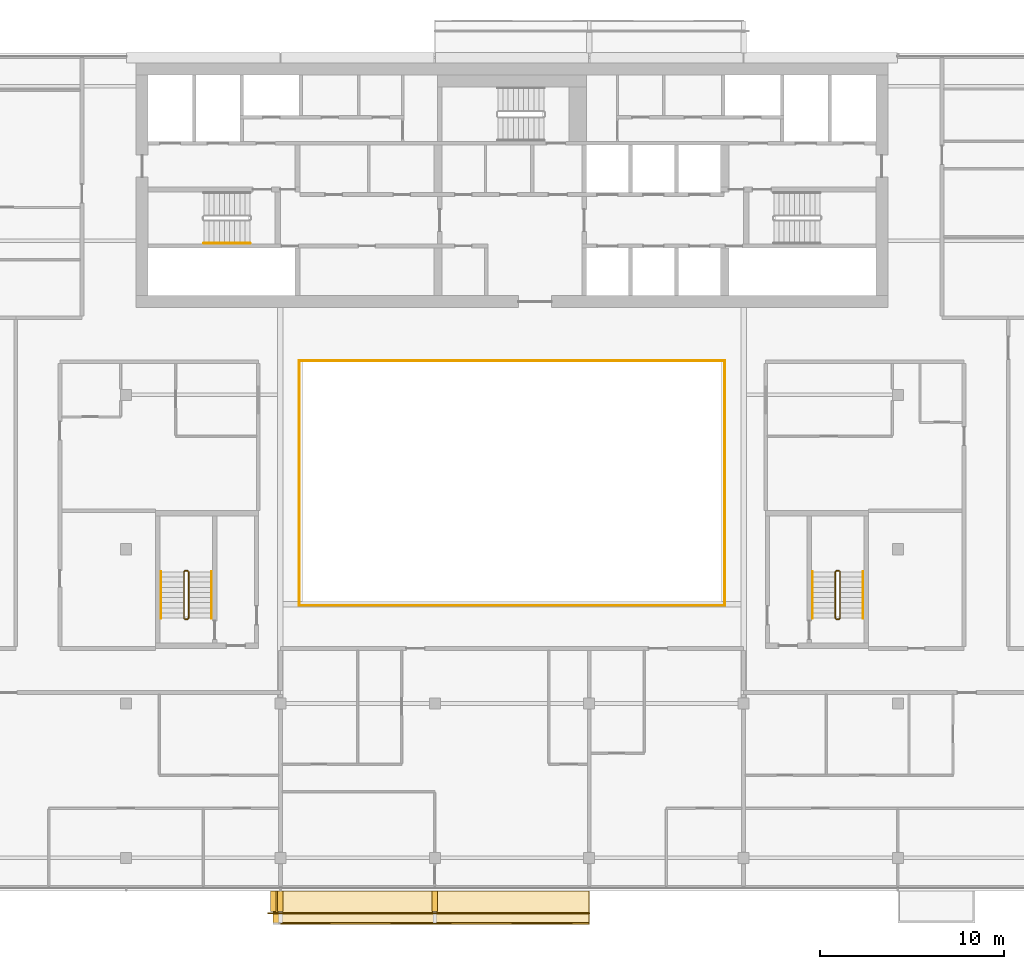
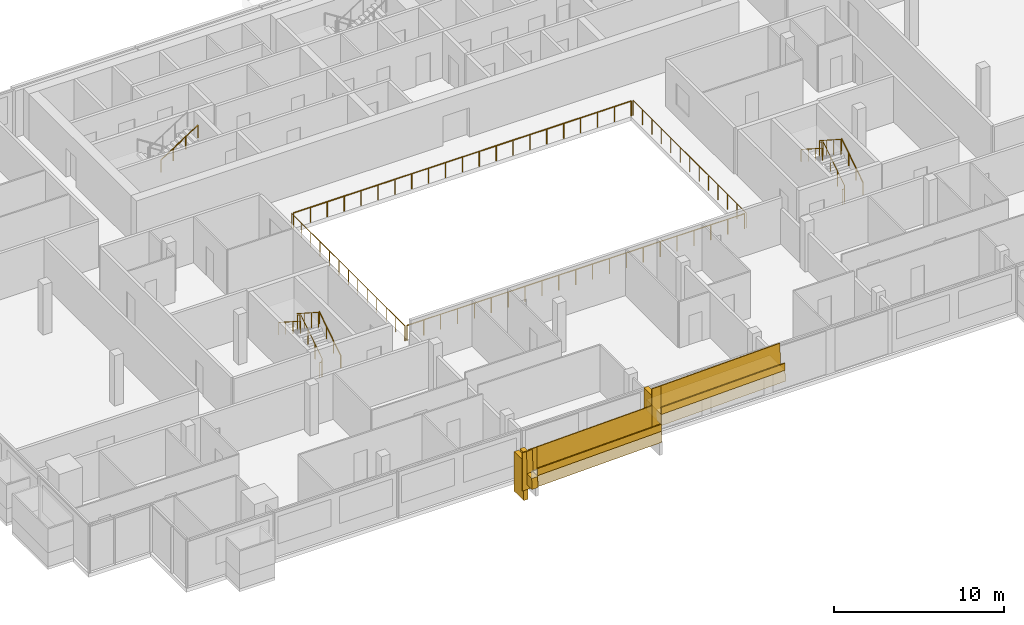
# One storey, part 26 of 27: 17 railings, 8 coverings.
"""IFC4 building model written with IfcOpenShell, lengths in metres."""

from ifc_helpers import new_model, si_unit, direction, frame, origin, origin_2d, place, context, subcontext, project, spatial, polyline, rectangle, circle, outline, extrude, material, layer, layer_set, type_object, element, save


model = new_model("IFC4")

# Units and contexts
model_context = context("Model", 3, precision=1e-05, world=origin(), true_north=direction((0.0, 1.0)))
body_context = subcontext(model_context, "Body", "Model", "MODEL_VIEW")
ifc_project = project(units=[si_unit("LENGTHUNIT", "METRE"), si_unit("AREAUNIT", "SQUARE_METRE"), si_unit("VOLUMEUNIT", "CUBIC_METRE"), si_unit("PLANEANGLEUNIT", "RADIAN"), si_unit("MASSUNIT", "GRAM", prefix="KILO")], contexts=[model_context])

# Site, building, storey
site_placement = place(None, origin())
site = spatial("IfcSite", under=ifc_project, at=site_placement, CompositionType="ELEMENT")
building_placement = place(site_placement, origin())
building = spatial("IfcBuilding", under=site, at=building_placement, Name="Saffron Gate Tower", CompositionType="ELEMENT")
storey_placement = place(building_placement, frame((0.0, 0.0, 209.10009765625)))
storey = spatial("IfcBuildingStorey", under=building, at=storey_placement, Name="L50", CompositionType="ELEMENT", Elevation=209.10009765625)

# Railings
ifc_material_1 = material(Name="Stainless steel and laminated glass", Category="steel")
railing_type_1 = type_object("IfcRailingType", Name="AG1 Atrium edge guard 1100", PredefinedType="GUARDRAIL", material=ifc_material_1)
railing_1_placement = place(storey_placement, frame((76.02001953125, 45.5400390625, 0.0)))
element("IfcRailing", 1, at=railing_1_placement, inside=storey, type_object=railing_type_1, Name="Guard D1-1", PredefinedType="GUARDRAIL", context=body_context, shape_type="SweptSolid", body=[
    extrude(circle(Radius=0.02392578125, at=origin_2d()), frame((0.0, 0.0, 1.076171875), z_axis=(0.0, 1.0, 0.0), x_axis=(-1.0, 0.0, 0.0)), (0.0, 0.0, 1.0), 13.320068359375),
    extrude(circle(Radius=0.02099609375, at=origin_2d()), origin(), (0.0, 0.0, 1.0), 1.052001953125),
    extrude(circle(Radius=0.02099609375, at=origin_2d()), frame((0.0, 1.110107421875, 0.0)), (0.0, 0.0, 1.0), 1.052001953125),
    extrude(circle(Radius=0.02099609375, at=origin_2d()), frame((0.0, 2.219970703125, 0.0)), (0.0, 0.0, 1.0), 1.052001953125),
    extrude(circle(Radius=0.02099609375, at=origin_2d()), frame((0.0, 3.330078125, 0.0)), (0.0, 0.0, 1.0), 1.052001953125),
    extrude(circle(Radius=0.02099609375, at=origin_2d()), frame((0.0, 4.43994140625, 0.0)), (0.0, 0.0, 1.0), 1.052001953125),
    extrude(circle(Radius=0.02099609375, at=origin_2d()), frame((0.0, 5.550048828125, 0.0)), (0.0, 0.0, 1.0), 1.052001953125),
    extrude(circle(Radius=0.02099609375, at=origin_2d()), frame((0.0, 6.66015625, 0.0)), (0.0, 0.0, 1.0), 1.052001953125),
    extrude(circle(Radius=0.02099609375, at=origin_2d()), frame((0.0, 7.77001953125, 0.0)), (0.0, 0.0, 1.0), 1.052001953125),
    extrude(circle(Radius=0.02099609375, at=origin_2d()), frame((0.0, 8.880126953125, 0.0)), (0.0, 0.0, 1.0), 1.052001953125),
    extrude(circle(Radius=0.02099609375, at=origin_2d()), frame((0.0, 9.989990234375, 0.0)), (0.0, 0.0, 1.0), 1.052001953125),
    extrude(circle(Radius=0.02099609375, at=origin_2d()), frame((0.0, 11.10009765625, 0.0)), (0.0, 0.0, 1.0), 1.052001953125),
    extrude(circle(Radius=0.02099609375, at=origin_2d()), frame((0.0, 12.2099609375, 0.0)), (0.0, 0.0, 1.0), 1.052001953125),
    extrude(circle(Radius=0.02099609375, at=origin_2d()), frame((0.0, 13.320068359375, 0.0)), (0.0, 0.0, 1.0), 1.052001953125),
])
railing_2_placement = place(storey_placement, frame((76.139892578125, 58.860107421875, 0.0)))
element("IfcRailing", 2, at=railing_2_placement, inside=storey, type_object=railing_type_1, Name="Guard D1-2", PredefinedType="GUARDRAIL", context=body_context, shape_type="SweptSolid", body=[
    extrude(circle(Radius=0.02392578125, at=origin_2d()), frame((0.0, 0.0, 1.076171875), z_axis=(1.0, 0.0, 0.0), x_axis=(0.0, 1.0, 0.0)), (0.0, 0.0, 1.0), 22.920166015625),
    extrude(circle(Radius=0.02099609375, at=origin_2d()), origin(), (0.0, 0.0, 1.0), 1.052001953125),
    extrude(circle(Radius=0.02099609375, at=origin_2d()), frame((1.14599609375, 0.0, 0.0)), (0.0, 0.0, 1.0), 1.052001953125),
    extrude(circle(Radius=0.02099609375, at=origin_2d()), frame((2.2919921875, 0.0, 0.0)), (0.0, 0.0, 1.0), 1.052001953125),
    extrude(circle(Radius=0.02099609375, at=origin_2d()), frame((3.43798828125, 0.0, 0.0)), (0.0, 0.0, 1.0), 1.052001953125),
    extrude(circle(Radius=0.02099609375, at=origin_2d()), frame((4.583984375, 0.0, 0.0)), (0.0, 0.0, 1.0), 1.052001953125),
    extrude(circle(Radius=0.02099609375, at=origin_2d()), frame((5.72998046875, 0.0, 0.0)), (0.0, 0.0, 1.0), 1.052001953125),
    extrude(circle(Radius=0.02099609375, at=origin_2d()), frame((6.8759765625, 0.0, 0.0)), (0.0, 0.0, 1.0), 1.052001953125),
    extrude(circle(Radius=0.02099609375, at=origin_2d()), frame((8.02197265625, 0.0, 0.0)), (0.0, 0.0, 1.0), 1.052001953125),
    extrude(circle(Radius=0.02099609375, at=origin_2d()), frame((9.16796875, 0.0, 0.0)), (0.0, 0.0, 1.0), 1.052001953125),
    extrude(circle(Radius=0.02099609375, at=origin_2d()), frame((10.31396484375, 0.0, 0.0)), (0.0, 0.0, 1.0), 1.052001953125),
    extrude(circle(Radius=0.02099609375, at=origin_2d()), frame((11.4599609375, 0.0, 0.0)), (0.0, 0.0, 1.0), 1.052001953125),
    extrude(circle(Radius=0.02099609375, at=origin_2d()), frame((12.606201171875, 0.0, 0.0)), (0.0, 0.0, 1.0), 1.052001953125),
    extrude(circle(Radius=0.02099609375, at=origin_2d()), frame((13.752197265625, 0.0, 0.0)), (0.0, 0.0, 1.0), 1.052001953125),
    extrude(circle(Radius=0.02099609375, at=origin_2d()), frame((14.898193359375, 0.0, 0.0)), (0.0, 0.0, 1.0), 1.052001953125),
    extrude(circle(Radius=0.02099609375, at=origin_2d()), frame((16.044189453125, 0.0, 0.0)), (0.0, 0.0, 1.0), 1.052001953125),
    extrude(circle(Radius=0.02099609375, at=origin_2d()), frame((17.190185546875, 0.0, 0.0)), (0.0, 0.0, 1.0), 1.052001953125),
    extrude(circle(Radius=0.02099609375, at=origin_2d()), frame((18.336181640625, 0.0, 0.0)), (0.0, 0.0, 1.0), 1.052001953125),
    extrude(circle(Radius=0.02099609375, at=origin_2d()), frame((19.482177734375, 0.0, 0.0)), (0.0, 0.0, 1.0), 1.052001953125),
    extrude(circle(Radius=0.02099609375, at=origin_2d()), frame((20.628173828125, 0.0, 0.0)), (0.0, 0.0, 1.0), 1.052001953125),
    extrude(circle(Radius=0.02099609375, at=origin_2d()), frame((21.774169921875, 0.0, 0.0)), (0.0, 0.0, 1.0), 1.052001953125),
    extrude(circle(Radius=0.02099609375, at=origin_2d()), frame((22.920166015625, 0.0, 0.0)), (0.0, 0.0, 1.0), 1.052001953125),
])
railing_3_placement = place(storey_placement, frame((99.179931640625, 58.860107421875, 0.0)))
element("IfcRailing", 3, at=railing_3_placement, inside=storey, type_object=railing_type_1, Name="Guard D1-3", PredefinedType="GUARDRAIL", context=body_context, shape_type="SweptSolid", body=[
    extrude(circle(Radius=0.02392578125, at=origin_2d()), frame((0.0, 0.0, 1.076171875), z_axis=(0.0, -1.0, 0.0), x_axis=(1.0, 0.0, 0.0)), (0.0, 0.0, 1.0), 13.320068359375),
    extrude(circle(Radius=0.02099609375, at=origin_2d()), origin(), (0.0, 0.0, 1.0), 1.052001953125),
    extrude(circle(Radius=0.02099609375, at=origin_2d()), frame((0.0, -1.110107421875, 0.0)), (0.0, 0.0, 1.0), 1.052001953125),
    extrude(circle(Radius=0.02099609375, at=origin_2d()), frame((0.0, -2.219970703125, 0.0)), (0.0, 0.0, 1.0), 1.052001953125),
    extrude(circle(Radius=0.02099609375, at=origin_2d()), frame((0.0, -3.330078125, 0.0)), (0.0, 0.0, 1.0), 1.052001953125),
    extrude(circle(Radius=0.02099609375, at=origin_2d()), frame((0.0, -4.43994140625, 0.0)), (0.0, 0.0, 1.0), 1.052001953125),
    extrude(circle(Radius=0.02099609375, at=origin_2d()), frame((0.0, -5.550048828125, 0.0)), (0.0, 0.0, 1.0), 1.052001953125),
    extrude(circle(Radius=0.02099609375, at=origin_2d()), frame((0.0, -6.66015625, 0.0)), (0.0, 0.0, 1.0), 1.052001953125),
    extrude(circle(Radius=0.02099609375, at=origin_2d()), frame((0.0, -7.77001953125, 0.0)), (0.0, 0.0, 1.0), 1.052001953125),
    extrude(circle(Radius=0.02099609375, at=origin_2d()), frame((0.0, -8.880126953125, 0.0)), (0.0, 0.0, 1.0), 1.052001953125),
    extrude(circle(Radius=0.02099609375, at=origin_2d()), frame((0.0, -9.989990234375, 0.0)), (0.0, 0.0, 1.0), 1.052001953125),
    extrude(circle(Radius=0.02099609375, at=origin_2d()), frame((0.0, -11.10009765625, 0.0)), (0.0, 0.0, 1.0), 1.052001953125),
    extrude(circle(Radius=0.02099609375, at=origin_2d()), frame((0.0, -12.2099609375, 0.0)), (0.0, 0.0, 1.0), 1.052001953125),
    extrude(circle(Radius=0.02099609375, at=origin_2d()), frame((0.0, -13.320068359375, 0.0)), (0.0, 0.0, 1.0), 1.052001953125),
])
railing_4_placement = place(storey_placement, frame((99.06005859375, 45.5400390625, 0.0)))
element("IfcRailing", 4, at=railing_4_placement, inside=storey, type_object=railing_type_1, Name="Guard D1-4", PredefinedType="GUARDRAIL", context=body_context, shape_type="SweptSolid", body=[
    extrude(circle(Radius=0.02392578125, at=origin_2d()), frame((0.0, 0.0, 1.076171875), z_axis=(-1.0, 0.0, 0.0), x_axis=(0.0, -1.0, 0.0)), (0.0, 0.0, 1.0), 22.920166015625),
    extrude(circle(Radius=0.02099609375, at=origin_2d()), origin(), (0.0, 0.0, 1.0), 1.052001953125),
    extrude(circle(Radius=0.02099609375, at=origin_2d()), frame((-1.14599609375, 0.0, 0.0)), (0.0, 0.0, 1.0), 1.052001953125),
    extrude(circle(Radius=0.02099609375, at=origin_2d()), frame((-2.2919921875, 0.0, 0.0)), (0.0, 0.0, 1.0), 1.052001953125),
    extrude(circle(Radius=0.02099609375, at=origin_2d()), frame((-3.43798828125, 0.0, 0.0)), (0.0, 0.0, 1.0), 1.052001953125),
    extrude(circle(Radius=0.02099609375, at=origin_2d()), frame((-4.583984375, 0.0, 0.0)), (0.0, 0.0, 1.0), 1.052001953125),
    extrude(circle(Radius=0.02099609375, at=origin_2d()), frame((-5.72998046875, 0.0, 0.0)), (0.0, 0.0, 1.0), 1.052001953125),
    extrude(circle(Radius=0.02099609375, at=origin_2d()), frame((-6.8759765625, 0.0, 0.0)), (0.0, 0.0, 1.0), 1.052001953125),
    extrude(circle(Radius=0.02099609375, at=origin_2d()), frame((-8.02197265625, 0.0, 0.0)), (0.0, 0.0, 1.0), 1.052001953125),
    extrude(circle(Radius=0.02099609375, at=origin_2d()), frame((-9.16796875, 0.0, 0.0)), (0.0, 0.0, 1.0), 1.052001953125),
    extrude(circle(Radius=0.02099609375, at=origin_2d()), frame((-10.31396484375, 0.0, 0.0)), (0.0, 0.0, 1.0), 1.052001953125),
    extrude(circle(Radius=0.02099609375, at=origin_2d()), frame((-11.4599609375, 0.0, 0.0)), (0.0, 0.0, 1.0), 1.052001953125),
    extrude(circle(Radius=0.02099609375, at=origin_2d()), frame((-12.606201171875, 0.0, 0.0)), (0.0, 0.0, 1.0), 1.052001953125),
    extrude(circle(Radius=0.02099609375, at=origin_2d()), frame((-13.752197265625, 0.0, 0.0)), (0.0, 0.0, 1.0), 1.052001953125),
    extrude(circle(Radius=0.02099609375, at=origin_2d()), frame((-14.898193359375, 0.0, 0.0)), (0.0, 0.0, 1.0), 1.052001953125),
    extrude(circle(Radius=0.02099609375, at=origin_2d()), frame((-16.044189453125, 0.0, 0.0)), (0.0, 0.0, 1.0), 1.052001953125),
    extrude(circle(Radius=0.02099609375, at=origin_2d()), frame((-17.190185546875, 0.0, 0.0)), (0.0, 0.0, 1.0), 1.052001953125),
    extrude(circle(Radius=0.02099609375, at=origin_2d()), frame((-18.336181640625, 0.0, 0.0)), (0.0, 0.0, 1.0), 1.052001953125),
    extrude(circle(Radius=0.02099609375, at=origin_2d()), frame((-19.482177734375, 0.0, 0.0)), (0.0, 0.0, 1.0), 1.052001953125),
    extrude(circle(Radius=0.02099609375, at=origin_2d()), frame((-20.628173828125, 0.0, 0.0)), (0.0, 0.0, 1.0), 1.052001953125),
    extrude(circle(Radius=0.02099609375, at=origin_2d()), frame((-21.774169921875, 0.0, 0.0)), (0.0, 0.0, 1.0), 1.052001953125),
    extrude(circle(Radius=0.02099609375, at=origin_2d()), frame((-22.920166015625, 0.0, 0.0)), (0.0, 0.0, 1.0), 1.052001953125),
])
railing_type_2 = type_object("IfcRailingType", Name="CR1 Stair guard 1100", PredefinedType="GUARDRAIL", material=ifc_material_1)
railing_5_placement = place(storey_placement, frame((69.800048828125, 44.800048828125, 0.0)))
element("IfcRailing", 5, at=railing_5_placement, inside=storey, type_object=railing_type_2, Name="L50 ST-D stair guard 1", PredefinedType="GUARDRAIL", context=body_context, shape_type="SweptSolid", body=[
    extrude(circle(Radius=0.02392578125, at=origin_2d()), frame((0.0, 0.0, 1.076171875), z_axis=(1.0, 0.0, 0.0), x_axis=(0.0, 1.0, 0.0)), (0.0, 0.0, 1.0), 0.14990234375),
    extrude(circle(Radius=0.02392578125, at=origin_2d()), frame((0.14990234375, 0.0, 1.076171875), z_axis=(0.258847668887, 0.258847668887, 0.930588936439), x_axis=(-0.707106781187, 0.707106781187, 0.0)), (0.0, 0.0, 1.0), 0.193359375),
    extrude(circle(Radius=0.02392578125, at=origin_2d()), frame((0.199951171875, 0.050048828125, 1.255859375), z_axis=(0.0, 0.841199657755, 0.540724639528), x_axis=(-1.0, 0.0, 0.0)), (0.0, 0.0, 1.0), 2.995849609375),
    extrude(circle(Radius=0.02392578125, at=origin_2d()), frame((0.199951171875, 2.570068359375, 2.8759765625), z_axis=(-0.708833529934, 0.705375805398, 0.0), x_axis=(-0.705375805398, -0.708833529934, 0.0)), (0.0, 0.0, 1.0), 0.070556640625),
    extrude(circle(Radius=0.02392578125, at=origin_2d()), frame((0.14990234375, 2.619873046875, 2.8759765625), z_axis=(-1.0, 0.0, 0.0), x_axis=(0.0, -1.0, 0.0)), (0.0, 0.0, 1.0), 0.14990234375),
    extrude(circle(Radius=0.02392578125, at=origin_2d()), frame((0.0, 2.619873046875, 2.8759765625), z_axis=(-0.258627984543, -0.257366384619, 0.931060744355), x_axis=(0.705375805398, -0.708833529934, 0.0)), (0.0, 0.0, 1.0), 0.193603515625),
    extrude(circle(Radius=0.02392578125, at=origin_2d()), frame((-0.050048828125, 2.570068359375, 3.05615234375), z_axis=(0.0, -0.841199657755, 0.540724639528), x_axis=(1.0, 0.0, 0.0)), (0.0, 0.0, 1.0), 2.995849609375),
    extrude(circle(Radius=0.02099609375, at=origin_2d()), origin(), (0.0, 0.0, 1.0), 1.052001953125),
    extrude(circle(Radius=0.02099609375, at=origin_2d()), frame((0.14990234375, 0.0, 0.0)), (0.0, 0.0, 1.0), 1.052001953125),
    extrude(circle(Radius=0.02099609375, at=origin_2d()), frame((0.199951171875, 0.050048828125, 0.179931640625)), (0.0, 0.0, 1.0), 1.052001953125),
    extrude(circle(Radius=0.02099609375, at=origin_2d()), frame((0.199951171875, 0.89013671875, 0.719970703125)), (0.0, 0.0, 1.0), 1.052001953125),
    extrude(circle(Radius=0.02099609375, at=origin_2d()), frame((0.199951171875, 1.72998046875, 1.259765625)), (0.0, 0.0, 1.0), 1.052001953125),
    extrude(circle(Radius=0.02099609375, at=origin_2d()), frame((0.199951171875, 2.570068359375, 1.7998046875)), (0.0, 0.0, 1.0), 1.052001953125),
    extrude(circle(Radius=0.02099609375, at=origin_2d()), frame((0.14990234375, 2.619873046875, 1.7998046875)), (0.0, 0.0, 1.0), 1.052001953125),
    extrude(circle(Radius=0.02099609375, at=origin_2d()), frame((0.0, 2.619873046875, 1.7998046875)), (0.0, 0.0, 1.0), 1.052001953125),
    extrude(circle(Radius=0.02099609375, at=origin_2d()), frame((-0.050048828125, 2.570068359375, 1.97998046875)), (0.0, 0.0, 1.0), 1.052001953125),
    extrude(circle(Radius=0.02099609375, at=origin_2d()), frame((-0.050048828125, 1.72998046875, 2.52001953125)), (0.0, 0.0, 1.0), 1.052001953125),
    extrude(circle(Radius=0.02099609375, at=origin_2d()), frame((-0.050048828125, 0.89013671875, 3.059814453125)), (0.0, 0.0, 1.0), 1.052001953125),
    extrude(circle(Radius=0.02099609375, at=origin_2d()), frame((-0.050048828125, 0.050048828125, 3.599853515625)), (0.0, 0.0, 1.0), 1.052001953125),
])
railing_6_placement = place(storey_placement, frame((105.25, 44.800048828125, 0.0)))
element("IfcRailing", 6, at=railing_6_placement, inside=storey, type_object=railing_type_2, Name="L50 ST-E stair guard 1", PredefinedType="GUARDRAIL", context=body_context, shape_type="SweptSolid", body=[
    extrude(circle(Radius=0.02392578125, at=origin_2d()), frame((0.0, 0.0, 1.076171875), z_axis=(1.0, 0.0, 0.0), x_axis=(0.0, 1.0, 0.0)), (0.0, 0.0, 1.0), 0.14990234375),
    extrude(circle(Radius=0.02392578125, at=origin_2d()), frame((0.14990234375, 0.0, 1.076171875), z_axis=(0.258847668887, 0.258847668887, 0.930588936439), x_axis=(-0.707106781187, 0.707106781187, 0.0)), (0.0, 0.0, 1.0), 0.193359375),
    extrude(circle(Radius=0.02392578125, at=origin_2d()), frame((0.199951171875, 0.050048828125, 1.255859375), z_axis=(0.0, 0.841199657755, 0.540724639528), x_axis=(-1.0, 0.0, 0.0)), (0.0, 0.0, 1.0), 2.995849609375),
    extrude(circle(Radius=0.02392578125, at=origin_2d()), frame((0.199951171875, 2.570068359375, 2.8759765625), z_axis=(-0.708833529934, 0.705375805398, 0.0), x_axis=(-0.705375805398, -0.708833529934, 0.0)), (0.0, 0.0, 1.0), 0.070556640625),
    extrude(circle(Radius=0.02392578125, at=origin_2d()), frame((0.14990234375, 2.619873046875, 2.8759765625), z_axis=(-1.0, 0.0, 0.0), x_axis=(0.0, -1.0, 0.0)), (0.0, 0.0, 1.0), 0.14990234375),
    extrude(circle(Radius=0.02392578125, at=origin_2d()), frame((0.0, 2.619873046875, 2.8759765625), z_axis=(-0.258627984543, -0.257366384619, 0.931060744355), x_axis=(0.705375805398, -0.708833529934, 0.0)), (0.0, 0.0, 1.0), 0.193603515625),
    extrude(circle(Radius=0.02392578125, at=origin_2d()), frame((-0.050048828125, 2.570068359375, 3.05615234375), z_axis=(0.0, -0.841199657755, 0.540724639528), x_axis=(1.0, 0.0, 0.0)), (0.0, 0.0, 1.0), 2.995849609375),
    extrude(circle(Radius=0.02099609375, at=origin_2d()), origin(), (0.0, 0.0, 1.0), 1.052001953125),
    extrude(circle(Radius=0.02099609375, at=origin_2d()), frame((0.14990234375, 0.0, 0.0)), (0.0, 0.0, 1.0), 1.052001953125),
    extrude(circle(Radius=0.02099609375, at=origin_2d()), frame((0.199951171875, 0.050048828125, 0.179931640625)), (0.0, 0.0, 1.0), 1.052001953125),
    extrude(circle(Radius=0.02099609375, at=origin_2d()), frame((0.199951171875, 0.89013671875, 0.719970703125)), (0.0, 0.0, 1.0), 1.052001953125),
    extrude(circle(Radius=0.02099609375, at=origin_2d()), frame((0.199951171875, 1.72998046875, 1.259765625)), (0.0, 0.0, 1.0), 1.052001953125),
    extrude(circle(Radius=0.02099609375, at=origin_2d()), frame((0.199951171875, 2.570068359375, 1.7998046875)), (0.0, 0.0, 1.0), 1.052001953125),
    extrude(circle(Radius=0.02099609375, at=origin_2d()), frame((0.14990234375, 2.619873046875, 1.7998046875)), (0.0, 0.0, 1.0), 1.052001953125),
    extrude(circle(Radius=0.02099609375, at=origin_2d()), frame((0.0, 2.619873046875, 1.7998046875)), (0.0, 0.0, 1.0), 1.052001953125),
    extrude(circle(Radius=0.02099609375, at=origin_2d()), frame((-0.050048828125, 2.570068359375, 1.97998046875)), (0.0, 0.0, 1.0), 1.052001953125),
    extrude(circle(Radius=0.02099609375, at=origin_2d()), frame((-0.050048828125, 1.72998046875, 2.52001953125)), (0.0, 0.0, 1.0), 1.052001953125),
    extrude(circle(Radius=0.02099609375, at=origin_2d()), frame((-0.050048828125, 0.89013671875, 3.059814453125)), (0.0, 0.0, 1.0), 1.052001953125),
    extrude(circle(Radius=0.02099609375, at=origin_2d()), frame((-0.050048828125, 0.050048828125, 3.599853515625)), (0.0, 0.0, 1.0), 1.052001953125),
])
ifc_material_2 = material(Name="Stainless steel", Category="steel")
railing_type_3 = type_object("IfcRailingType", Name="CR2 Stair handrail 900", PredefinedType="HANDRAIL", material=ifc_material_2)
railing_7_placement = place(storey_placement, frame((70.830078125, 65.25, 1.97998046875)))
element("IfcRailing", 7, at=railing_7_placement, inside=storey, type_object=railing_type_3, Name="L50 ST-A stair handrail 2", PredefinedType="HANDRAIL", context=body_context, shape_type="SweptSolid", body=[
    extrude(circle(Radius=0.02392578125, at=origin_2d()), frame((0.0, 0.0, 0.8759765625), z_axis=(0.841199657755, 0.0, 0.540724639528), x_axis=(0.0, 1.0, 0.0)), (0.0, 0.0, 1.0), 2.995849609375),
    extrude(circle(Radius=0.02099609375, at=origin_2d()), origin(), (0.0, 0.0, 1.0), 0.851806640625),
    extrude(circle(Radius=0.02099609375, at=origin_2d()), frame((0.840087890625, 0.0, 0.5400390625)), (0.0, 0.0, 1.0), 0.851806640625),
    extrude(circle(Radius=0.02099609375, at=origin_2d()), frame((1.679931640625, 0.0, 1.079833984375)), (0.0, 0.0, 1.0), 0.851806640625),
    extrude(circle(Radius=0.02099609375, at=origin_2d()), frame((2.52001953125, 0.0, 1.619873046875)), (0.0, 0.0, 1.0), 0.851806640625),
])
railing_8_placement = place(storey_placement, frame((71.25, 44.85009765625, 0.179931640625)))
element("IfcRailing", 8, at=railing_8_placement, inside=storey, type_object=railing_type_3, Name="L50 ST-D stair handrail 1", PredefinedType="HANDRAIL", context=body_context, shape_type="SweptSolid", body=[
    extrude(circle(Radius=0.02392578125, at=origin_2d()), frame((0.0, 0.0, 0.8759765625), z_axis=(0.0, 0.841199657755, 0.540724639528), x_axis=(-1.0, 0.0, 0.0)), (0.0, 0.0, 1.0), 2.995849609375),
    extrude(circle(Radius=0.02099609375, at=origin_2d()), origin(), (0.0, 0.0, 1.0), 0.851806640625),
    extrude(circle(Radius=0.02099609375, at=origin_2d()), frame((0.0, 0.840087890625, 0.5400390625)), (0.0, 0.0, 1.0), 0.851806640625),
    extrude(circle(Radius=0.02099609375, at=origin_2d()), frame((0.0, 1.679931640625, 1.079833984375)), (0.0, 0.0, 1.0), 0.851806640625),
    extrude(circle(Radius=0.02099609375, at=origin_2d()), frame((0.0, 2.52001953125, 1.619873046875)), (0.0, 0.0, 1.0), 0.851806640625),
])
railing_9_placement = place(storey_placement, frame((68.5, 47.3701171875, 1.97998046875)))
element("IfcRailing", 9, at=railing_9_placement, inside=storey, type_object=railing_type_3, Name="L50 ST-D stair handrail 2", PredefinedType="HANDRAIL", context=body_context, shape_type="SweptSolid", body=[
    extrude(circle(Radius=0.02392578125, at=origin_2d()), frame((0.0, 0.0, 0.8759765625), z_axis=(0.0, -0.841199657755, 0.540724639528), x_axis=(1.0, 0.0, 0.0)), (0.0, 0.0, 1.0), 2.995849609375),
    extrude(circle(Radius=0.02099609375, at=origin_2d()), origin(), (0.0, 0.0, 1.0), 0.851806640625),
    extrude(circle(Radius=0.02099609375, at=origin_2d()), frame((0.0, -0.840087890625, 0.5400390625)), (0.0, 0.0, 1.0), 0.851806640625),
    extrude(circle(Radius=0.02099609375, at=origin_2d()), frame((0.0, -1.679931640625, 1.079833984375)), (0.0, 0.0, 1.0), 0.851806640625),
    extrude(circle(Radius=0.02099609375, at=origin_2d()), frame((0.0, -2.52001953125, 1.619873046875)), (0.0, 0.0, 1.0), 0.851806640625),
])
railing_10_placement = place(storey_placement, frame((106.699951171875, 44.85009765625, 0.179931640625)))
element("IfcRailing", 10, at=railing_10_placement, inside=storey, type_object=railing_type_3, Name="L50 ST-E stair handrail 1", PredefinedType="HANDRAIL", context=body_context, shape_type="SweptSolid", body=[
    extrude(circle(Radius=0.02392578125, at=origin_2d()), frame((0.0, 0.0, 0.8759765625), z_axis=(0.0, 0.841199657755, 0.540724639528), x_axis=(-1.0, 0.0, 0.0)), (0.0, 0.0, 1.0), 2.995849609375),
    extrude(circle(Radius=0.02099609375, at=origin_2d()), origin(), (0.0, 0.0, 1.0), 0.851806640625),
    extrude(circle(Radius=0.02099609375, at=origin_2d()), frame((0.0, 0.840087890625, 0.5400390625)), (0.0, 0.0, 1.0), 0.851806640625),
    extrude(circle(Radius=0.02099609375, at=origin_2d()), frame((0.0, 1.679931640625, 1.079833984375)), (0.0, 0.0, 1.0), 0.851806640625),
    extrude(circle(Radius=0.02099609375, at=origin_2d()), frame((0.0, 2.52001953125, 1.619873046875)), (0.0, 0.0, 1.0), 0.851806640625),
])
railing_11_placement = place(storey_placement, frame((103.949951171875, 47.3701171875, 1.97998046875)))
element("IfcRailing", 11, at=railing_11_placement, inside=storey, type_object=railing_type_3, Name="L50 ST-E stair handrail 2", PredefinedType="HANDRAIL", context=body_context, shape_type="SweptSolid", body=[
    extrude(circle(Radius=0.02392578125, at=origin_2d()), frame((0.0, 0.0, 0.8759765625), z_axis=(0.0, -0.841199657755, 0.540724639528), x_axis=(1.0, 0.0, 0.0)), (0.0, 0.0, 1.0), 2.995849609375),
    extrude(circle(Radius=0.02099609375, at=origin_2d()), origin(), (0.0, 0.0, 1.0), 0.851806640625),
    extrude(circle(Radius=0.02099609375, at=origin_2d()), frame((0.0, -0.840087890625, 0.5400390625)), (0.0, 0.0, 1.0), 0.851806640625),
    extrude(circle(Radius=0.02099609375, at=origin_2d()), frame((0.0, -1.679931640625, 1.079833984375)), (0.0, 0.0, 1.0), 0.851806640625),
    extrude(circle(Radius=0.02099609375, at=origin_2d()), frame((0.0, -2.52001953125, 1.619873046875)), (0.0, 0.0, 1.0), 0.851806640625),
])

# Coverings
ifc_material_3 = material(Name="Timber, thermally modified ash", Category="wood")
ifc_layer_1 = layer(ifc_material_3, 0.800048828125)
ifc_layer_set_1 = layer_set([ifc_layer_1], Name="LD1 ledge timber")
covering_type_1 = type_object("IfcCoveringType", Name="LD1 ledge timber", PredefinedType="CLADDING", material=ifc_layer_set_1)
covering_1_placement = place(storey_placement, frame((74.60009765625, 30.0, 1.146240234375), z_axis=(-0.028681724025, 0.0, 0.999588594726), x_axis=(0.999588594726, 0.0, 0.028681724025)))
element("IfcCovering", 12, at=covering_1_placement, inside=storey, type_object=covering_type_1, Name="LEDGE", PredefinedType="CLADDING", context=body_context, shape_type="SweptSolid", body=[
    extrude(outline(polyline([(0.0, 0.0), (0.40006693339621563, 0.0), (0.40006693339621563, -1.8000488281250004), (0.0, -1.8000488281250004), (0.0, 0.0)])), origin(), (0.0, 0.0, -1.0), 0.800048828125),
])
covering_2_placement = place(storey_placement, frame((75.0, 30.0, 1.21484375), z_axis=(-0.028791175352, 0.0, 0.999585448184), x_axis=(0.999585448184, 0.0, 0.028791175352)))
element("IfcCovering", 13, at=covering_2_placement, inside=storey, type_object=covering_type_1, Name="LEDGE", PredefinedType="CLADDING", context=body_context, shape_type="SweptSolid", body=[
    extrude(outline(polyline([(0.0, 0.0), (8.403385982666892, 0.0), (8.403385982666892, -1.800048828125), (0.0, -1.800048828125), (0.0, 0.0)])), origin(), (0.0, 0.0, -1.0), 0.800048828125),
])
covering_3_placement = place(storey_placement, frame((83.39990234375, 30.0, 2.6572265625), z_axis=(-0.028790339263, 0.0, 0.999585472266), x_axis=(0.999585472266, 0.0, 0.028790339263)))
element("IfcCovering", 14, at=covering_3_placement, inside=storey, type_object=covering_type_1, Name="LEDGE", PredefinedType="CLADDING", context=body_context, shape_type="SweptSolid", body=[
    extrude(outline(polyline([(0.0, 0.0), (8.403630022085892, 0.0), (8.403630022085892, -1.800048828125), (0.0, -1.800048828125), (0.0, 0.0)])), origin(), (0.0, 0.0, -1.0), 0.800048828125),
])
ifc_layer_2 = layer(ifc_material_3, 0.080078125)
ifc_layer_set_2 = layer_set([ifc_layer_2], Name="LD2 ledge planter trough")
covering_type_2 = type_object("IfcCoveringType", Name="LD2 ledge planter trough", PredefinedType="CLADDING", material=ifc_layer_set_2)
covering_4_placement = place(storey_placement, frame((75.0, 28.199951171875, 1.21484375), z_axis=(0.0, -1.0, 0.0), x_axis=(0.999585448184, 0.0, 0.028791175352)))
element("IfcCovering", 15, at=covering_4_placement, inside=storey, type_object=covering_type_2, Name="LEDGE planter trough", PredefinedType="CLADDING", context=body_context, shape_type="SweptSolid", body=[
    extrude(outline(polyline([(0.0, 0.0), (8.403385982666892, 0.0), (8.417781570342743, 0.49979272409216496), (0.014395587675851172, 0.4997927240921649), (0.0, 0.0)])), origin(), (0.0, 0.0, -1.0), 0.080078125),
])
covering_5_placement = place(storey_placement, frame((83.39990234375, 28.199951171875, 2.6572265625), z_axis=(0.0, -1.0, 0.0), x_axis=(0.999585472266, 0.0, 0.028790339263)))
element("IfcCovering", 16, at=covering_5_placement, inside=storey, type_object=covering_type_2, Name="LEDGE planter trough", PredefinedType="CLADDING", context=body_context, shape_type="SweptSolid", body=[
    extrude(outline(polyline([(0.0, 0.0), (8.403630022085892, 0.0), (8.418025191717298, 0.4997927361329725), (0.014395169631405694, 0.4997927361329725), (0.0, 0.0)])), origin(), (0.0, 0.0, -1.0), 0.080078125),
])
ifc_layer_3 = layer(ifc_material_3, 0.300048828125)
ifc_layer_set_3 = layer_set([ifc_layer_3], Name="LD3 ledge riser fin")
covering_type_3 = type_object("IfcCoveringType", Name="LD3 ledge riser fin", PredefinedType="CLADDING", material=ifc_layer_set_3)
covering_6_placement = place(storey_placement, frame((74.60009765625, 29.43994140625, -0.797119140625), z_axis=(0.0, 0.0, 1.0), x_axis=(1.0, 0.0, 0.0)))
element("IfcCovering", 17, at=covering_6_placement, inside=storey, type_object=covering_type_3, Name="LEDGE riser fin", PredefinedType="CLADDING", context=body_context, shape_type="SweptSolid", body=[
    extrude(rectangle(XDim=0.300048828125, YDim=1.1201171875, at=origin_2d()), origin(), (0.0, 0.0, 1.0), 2.84326171875),
])
covering_7_placement = place(storey_placement, frame((75.0, 29.43994140625, 0.35791015625), z_axis=(0.0, 0.0, 1.0), x_axis=(1.0, 0.0, 0.0)))
element("IfcCovering", 18, at=covering_7_placement, inside=storey, type_object=covering_type_3, Name="LEDGE riser fin", PredefinedType="CLADDING", context=body_context, shape_type="SweptSolid", body=[
    extrude(rectangle(XDim=0.300048828125, YDim=1.1201171875, at=origin_2d()), origin(), (0.0, 0.0, 1.0), 1.757080078125),
])
covering_8_placement = place(storey_placement, frame((83.39990234375, 29.43994140625, 0.65673828125), z_axis=(0.0, 0.0, 1.0), x_axis=(1.0, 0.0, 0.0)))
element("IfcCovering", 19, at=covering_8_placement, inside=storey, type_object=covering_type_3, Name="LEDGE riser fin", PredefinedType="CLADDING", context=body_context, shape_type="SweptSolid", body=[
    extrude(rectangle(XDim=0.300048828125, YDim=1.1201171875, at=origin_2d()), origin(), (0.0, 0.0, 1.0), 2.900390625),
])

# Railings
railing_type_4 = type_object("IfcRailingType", Name="LG1 ledge balustrade", PredefinedType="BALUSTRADE", material=ifc_material_3)
railing_12_placement = place(storey_placement, frame((74.60009765625, 28.800048828125, 1.146240234375)))
element("IfcRailing", 20, at=railing_12_placement, inside=storey, type_object=railing_type_4, Name="LEDGE BALUSTRADE", PredefinedType="BALUSTRADE", context=body_context, shape_type="SweptSolid", body=[
    extrude(rectangle(XDim=0.06005859375, YDim=1.60009765625, at=origin_2d()), frame((0.0, 0.0, 0.800048828125), z_axis=(0.999588594726, 0.0, 0.028681724025), x_axis=(0.0, 1.0, 0.0)), (0.0, 0.0, 1.0), 0.400146484375),
])
railing_13_placement = place(storey_placement, frame((74.300048828125, 28.800048828125, 0.0029296875)))
element("IfcRailing", 21, at=railing_13_placement, inside=storey, type_object=railing_type_4, Name="LEDGE BALUSTRADE", PredefinedType="BALUSTRADE", context=body_context, shape_type="SweptSolid", body=[
    extrude(rectangle(XDim=0.06005859375, YDim=2.7431640625, at=origin_2d()), frame((0.0, 0.0, 1.37158203125), z_axis=(1.0, 0.0, 0.0), x_axis=(0.0, 1.0, 0.0)), (0.0, 0.0, 1.0), 0.599853515625),
])
railing_14_placement = place(storey_placement, frame((75.0, 28.800048828125, 1.21484375)))
element("IfcRailing", 22, at=railing_14_placement, inside=storey, type_object=railing_type_4, Name="LEDGE BALUSTRADE", PredefinedType="BALUSTRADE", context=body_context, shape_type="SweptSolid", body=[
    extrude(rectangle(XDim=0.06005859375, YDim=1.60009765625, at=origin_2d()), frame((0.0, 0.0, 0.800048828125), z_axis=(0.999585448184, 0.0, 0.028791175352), x_axis=(0.0, 1.0, 0.0)), (0.0, 0.0, 1.0), 8.4033203125),
])
railing_15_placement = place(storey_placement, frame((74.699951171875, 28.800048828125, 1.15771484375)))
element("IfcRailing", 23, at=railing_15_placement, inside=storey, type_object=railing_type_4, Name="LEDGE BALUSTRADE", PredefinedType="BALUSTRADE", context=body_context, shape_type="SweptSolid", body=[
    extrude(rectangle(XDim=0.06005859375, YDim=1.6572265625, at=origin_2d()), frame((0.0, 0.0, 0.82861328125), z_axis=(1.0, 0.0, 0.0), x_axis=(0.0, 1.0, 0.0)), (0.0, 0.0, 1.0), 0.60009765625),
])
railing_16_placement = place(storey_placement, frame((83.39990234375, 28.800048828125, 2.6572265625)))
element("IfcRailing", 24, at=railing_16_placement, inside=storey, type_object=railing_type_4, Name="LEDGE BALUSTRADE", PredefinedType="BALUSTRADE", context=body_context, shape_type="SweptSolid", body=[
    extrude(rectangle(XDim=0.06005859375, YDim=1.60009765625, at=origin_2d()), frame((0.0, 0.0, 0.800048828125), z_axis=(0.999585472266, 0.0, 0.028790339263), x_axis=(0.0, 1.0, 0.0)), (0.0, 0.0, 1.0), 8.403564453125),
])
railing_17_placement = place(storey_placement, frame((83.10009765625, 28.800048828125, 1.456787109375)))
element("IfcRailing", 25, at=railing_17_placement, inside=storey, type_object=railing_type_4, Name="LEDGE BALUSTRADE", PredefinedType="BALUSTRADE", context=body_context, shape_type="SweptSolid", body=[
    extrude(rectangle(XDim=0.06005859375, YDim=2.80029296875, at=origin_2d()), frame((0.0, 0.0, 1.400146484375), z_axis=(1.0, 0.0, 0.0), x_axis=(0.0, 1.0, 0.0)), (0.0, 0.0, 1.0), 0.599853515625),
])

save(model, "model.ifc")
